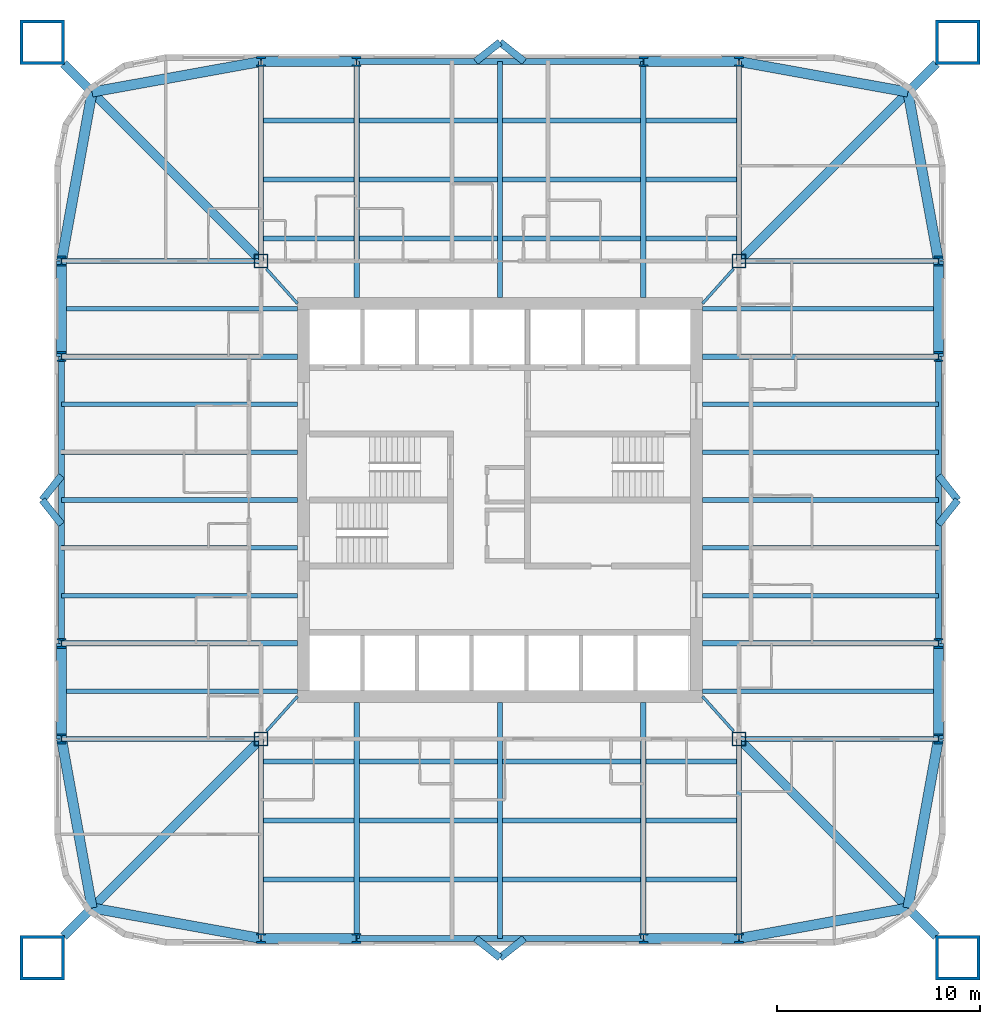
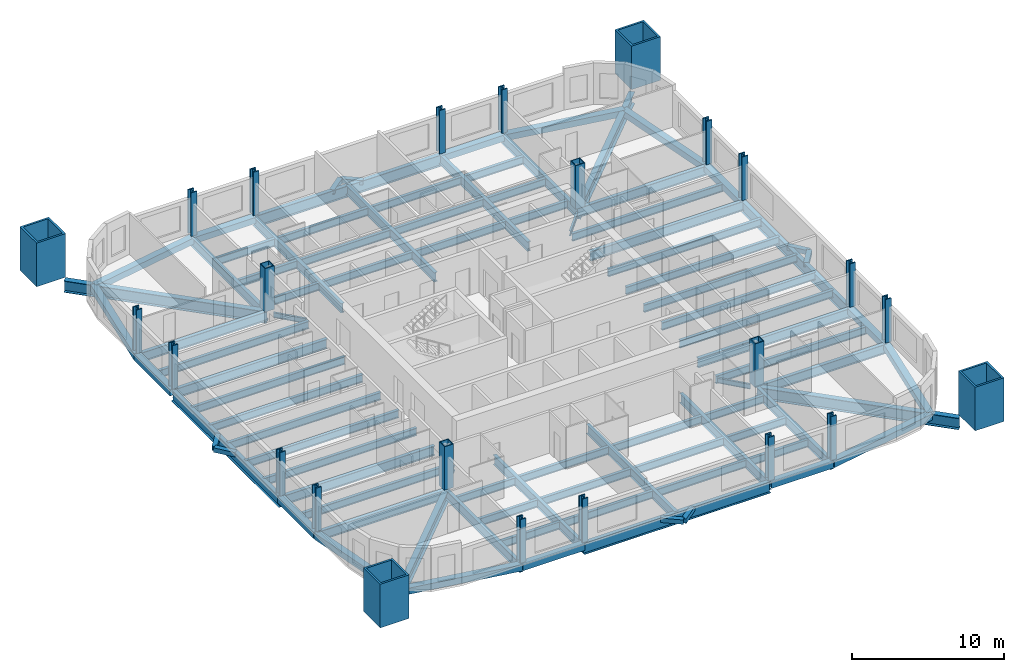
# One storey, part 1 of 9: 92 beams, 24 columns.
"""IFC4 building model written with IfcOpenShell, lengths in metres."""

from ifc_helpers import new_model, si_unit, direction, frame, origin, origin_2d, place, context, subcontext, project, spatial, hollow_rectangle, i_section, extrude, material, material_profile, profile_set, type_object, element, save


model = new_model("IFC4")

# Units and contexts
model_context = context("Model", 3, precision=1e-05, world=origin(), true_north=direction((0.0, 1.0)))
body_context = subcontext(model_context, "Body", "Model", "MODEL_VIEW")
ifc_project = project(units=[si_unit("LENGTHUNIT", "METRE"), si_unit("AREAUNIT", "SQUARE_METRE"), si_unit("VOLUMEUNIT", "CUBIC_METRE"), si_unit("PLANEANGLEUNIT", "RADIAN"), si_unit("MASSUNIT", "GRAM", prefix="KILO")], contexts=[model_context])

# Site, building, storey
site_placement = place(None, origin())
site = spatial("IfcSite", under=ifc_project, at=site_placement, CompositionType="ELEMENT")
building_placement = place(site_placement, origin())
building = spatial("IfcBuilding", under=site, at=building_placement, Name="Turquesa Mirador Hotel Tower", CompositionType="ELEMENT")
storey_placement = place(building_placement, frame((0.0, 0.0, 56.5)))
storey = spatial("IfcBuildingStorey", under=building, at=storey_placement, Name="L14", CompositionType="ELEMENT", Elevation=56.5)

# Columns
ifc_material_1 = material(Name="Steel ASTM A572 Grade 50", Category="steel")
ifc_material_profile_1 = material_profile(ifc_material_1, hollow_rectangle(XDim=0.699951171875, YDim=0.699951171875, WallThickness=0.06005859375, at=origin_2d()), Name="BOX700X700X60")
ifc_profile_set_1 = profile_set([ifc_material_profile_1], Name="Steel ASTM A572 Grade 50")
column_type_1 = type_object("IfcColumnType", Name="COLUMN BOX700X700X60", PredefinedType="COLUMN", material=ifc_profile_set_1)
for number, where, z_axis, x_axis, name in (
    (1, (43.199951171875, 33.199951171875, 0.0), (0.0, 0.0, 1.0), (1.0, 0.0, 0.0), "COL-L14-K--11.80--11.80"),
    (2, (43.199951171875, 56.800048828125, 0.0), (0.0, 0.0, 1.0), (1.0, 0.0, 0.0), "COL-L14-K--11.80-+11.80"),
    (3, (66.800048828125, 33.199951171875, 0.0), (0.0, 0.0, 1.0), (1.0, 0.0, 0.0), "COL-L14-K-+11.80--11.80"),
    (4, (66.800048828125, 56.800048828125, 0.0), (0.0, 0.0, 1.0), (1.0, 0.0, 0.0), "COL-L14-K-+11.80-+11.80"),
):
    element("IfcColumn", number, at=place(storey_placement, frame(where, z_axis=z_axis, x_axis=x_axis)), inside=storey, type_object=column_type_1, Name=name, PredefinedType="COLUMN", context=body_context, shape_type="SweptSolid", body=[
        extrude(hollow_rectangle(XDim=0.699951171875, YDim=0.699951171875, WallThickness=0.06005859375, at=origin_2d()), origin(), (0.0, 0.0, 1.0), 3.5),
    ])
ifc_material_2 = material(Name="Steel ASTM A992 Grade 50", Category="steel")
ifc_material_profile_2 = material_profile(ifc_material_2, i_section(OverallWidth=0.431884765625, OverallDepth=0.497802734375, WebThickness=0.0556640625, FlangeThickness=0.0888671875, at=origin_2d()), Name="W14X500")
ifc_profile_set_2 = profile_set([ifc_material_profile_2], Name="Steel ASTM A992 Grade 50")
column_type_2 = type_object("IfcColumnType", Name="COLUMN W14X500", PredefinedType="COLUMN", material=ifc_profile_set_2)
for number, where, z_axis, x_axis, name in (
    (5, (33.35009765625, 33.199951171875, 0.0), (0.0, 0.0, 1.0), (1.0, 0.0, 0.0), "COL-L14-P--21.65--11.80"),
    (6, (33.35009765625, 37.919921875, 0.0), (0.0, 0.0, 1.0), (1.0, 0.0, 0.0), "COL-L14-P--21.65--7.08"),
    (7, (33.35009765625, 52.080078125, 0.0), (0.0, 0.0, 1.0), (1.0, 0.0, 0.0), "COL-L14-P--21.65-+7.08"),
    (8, (33.35009765625, 56.800048828125, 0.0), (0.0, 0.0, 1.0), (1.0, 0.0, 0.0), "COL-L14-P--21.65-+11.80"),
    (9, (43.199951171875, 23.35009765625, 0.0), (0.0, 0.0, 1.0), (1.0, 0.0, 0.0), "COL-L14-P--11.80--21.65"),
    (10, (43.199951171875, 66.64990234375, 0.0), (0.0, 0.0, 1.0), (1.0, 0.0, 0.0), "COL-L14-P--11.80-+21.65"),
    (11, (47.919921875, 23.35009765625, 0.0), (0.0, 0.0, 1.0), (1.0, 0.0, 0.0), "COL-L14-P--7.08--21.65"),
    (12, (47.919921875, 66.64990234375, 0.0), (0.0, 0.0, 1.0), (1.0, 0.0, 0.0), "COL-L14-P--7.08-+21.65"),
    (13, (62.080078125, 23.35009765625, 0.0), (0.0, 0.0, 1.0), (1.0, 0.0, 0.0), "COL-L14-P-+7.08--21.65"),
    (14, (62.080078125, 66.64990234375, 0.0), (0.0, 0.0, 1.0), (1.0, 0.0, 0.0), "COL-L14-P-+7.08-+21.65"),
    (15, (66.800048828125, 23.35009765625, 0.0), (0.0, 0.0, 1.0), (1.0, 0.0, 0.0), "COL-L14-P-+11.80--21.65"),
    (16, (66.800048828125, 66.64990234375, 0.0), (0.0, 0.0, 1.0), (1.0, 0.0, 0.0), "COL-L14-P-+11.80-+21.65"),
    (17, (76.64990234375, 33.199951171875, 0.0), (0.0, 0.0, 1.0), (1.0, 0.0, 0.0), "COL-L14-P-+21.65--11.80"),
    (18, (76.64990234375, 37.919921875, 0.0), (0.0, 0.0, 1.0), (1.0, 0.0, 0.0), "COL-L14-P-+21.65--7.08"),
    (19, (76.64990234375, 52.080078125, 0.0), (0.0, 0.0, 1.0), (1.0, 0.0, 0.0), "COL-L14-P-+21.65-+7.08"),
    (20, (76.64990234375, 56.800048828125, 0.0), (0.0, 0.0, 1.0), (1.0, 0.0, 0.0), "COL-L14-P-+21.65-+11.80"),
):
    element("IfcColumn", number, at=place(storey_placement, frame(where, z_axis=z_axis, x_axis=x_axis)), inside=storey, type_object=column_type_2, Name=name, PredefinedType="COLUMN", context=body_context, shape_type="SweptSolid", body=[
        extrude(i_section(OverallWidth=0.431884765625, OverallDepth=0.497802734375, WebThickness=0.0556640625, FlangeThickness=0.0888671875, at=origin_2d()), origin(), (0.0, 0.0, 1.0), 3.5),
    ])
ifc_material_3 = material(Name="Steel ASTM A514 Grade Q", Category="steel")
ifc_material_profile_3 = material_profile(ifc_material_3, hollow_rectangle(XDim=2.199951171875, YDim=2.199951171875, WallThickness=0.14990234375, at=origin_2d()), Name="BOX2200X2200X150")
ifc_profile_set_3 = profile_set([ifc_material_profile_3], Name="Steel ASTM A514 Grade Q")
column_type_3 = type_object("IfcColumnType", Name="MEGA COLUMN BOX2200X2200X150", PredefinedType="COLUMN", material=ifc_profile_set_3)
for number, where, z_axis, x_axis, name in (
    (21, (77.60009765625, 67.60009765625, 0.0), (0.0, 0.0, 1.0), (1.0, 0.0, 0.0), "Mega column M1"),
    (22, (32.39990234375, 67.60009765625, 0.0), (0.0, 0.0, 1.0), (1.0, 0.0, 0.0), "Mega column M2"),
    (23, (32.39990234375, 22.39990234375, 0.0), (0.0, 0.0, 1.0), (1.0, 0.0, 0.0), "Mega column M3"),
    (24, (77.60009765625, 22.39990234375, 0.0), (0.0, 0.0, 1.0), (1.0, 0.0, 0.0), "Mega column M4"),
):
    element("IfcColumn", number, at=place(storey_placement, frame(where, z_axis=z_axis, x_axis=x_axis)), inside=storey, type_object=column_type_3, Name=name, PredefinedType="COLUMN", context=body_context, shape_type="SweptSolid", body=[
        extrude(hollow_rectangle(XDim=2.199951171875, YDim=2.199951171875, WallThickness=0.14990234375, at=origin_2d()), origin(), (0.0, 0.0, 1.0), 3.5),
    ])

# Beams
ifc_material_4 = material(Name="Steel ASTM A572 Grade 50", Category="steel")
ifc_material_profile_4 = material_profile(ifc_material_4, hollow_rectangle(XDim=0.5, YDim=0.5, WallThickness=0.01611328125, at=origin_2d()), Name="BOX500X500X16")
ifc_profile_set_4 = profile_set([ifc_material_profile_4], Name="Steel ASTM A572 Grade 50")
beam_type_1 = type_object("IfcBeamType", Name="BEAM BOX500X500X16", PredefinedType="BEAM", material=ifc_profile_set_4)
for number, where, z_axis, x_axis, name in (
    (25, (43.199951171875, 66.64990234375, -0.419921875), (1.0, 0.0, 0.0), (0.0, 1.0, 0.0), "EB-L14-N-L"),
    (26, (62.080078125, 66.64990234375, -0.419921875), (1.0, 0.0, 0.0), (0.0, 1.0, 0.0), "EB-L14-N-R"),
    (27, (43.199951171875, 23.35009765625, -0.419921875), (1.0, 0.0, 0.0), (0.0, 1.0, 0.0), "EB-L14-S-L"),
    (28, (62.080078125, 23.35009765625, -0.419921875), (1.0, 0.0, 0.0), (0.0, 1.0, 0.0), "EB-L14-S-R"),
    (29, (76.64990234375, 33.199951171875, -0.419921875), (0.0, 1.0, 0.0), (-1.0, 0.0, 0.0), "EB-L14-E-L"),
    (30, (76.64990234375, 52.080078125, -0.419921875), (0.0, 1.0, 0.0), (-1.0, 0.0, 0.0), "EB-L14-E-R"),
    (31, (33.35009765625, 33.199951171875, -0.419921875), (0.0, 1.0, 0.0), (-1.0, 0.0, 0.0), "EB-L14-W-L"),
    (32, (33.35009765625, 52.080078125, -0.419921875), (0.0, 1.0, 0.0), (-1.0, 0.0, 0.0), "EB-L14-W-R"),
):
    element("IfcBeam", number, at=place(storey_placement, frame(where, z_axis=z_axis, x_axis=x_axis)), inside=storey, type_object=beam_type_1, Name=name, PredefinedType="BEAM", context=body_context, shape_type="SweptSolid", body=[
        extrude(hollow_rectangle(XDim=0.5, YDim=0.5, WallThickness=0.01611328125, at=origin_2d()), origin(), (0.0, 0.0, 1.0), 4.719970703125),
    ])
for number, where, z_axis, x_axis, name in (
    (33, (76.64990234375, 56.800048828125, -0.419921875), (-0.177932387818, 0.984042715214, 0.0), (-0.984042715214, -0.177932387818, 0.0), "KE-L14-1-0"),
    (34, (75.1416015625, 65.1416015625, -0.419921875), (-0.984042715214, 0.177932387818, 0.0), (-0.177932387818, -0.984042715214, 0.0), "KE-L14-1-1"),
    (35, (33.35009765625, 56.800048828125, -0.419921875), (0.177932387818, 0.984042715214, 0.0), (-0.984042715214, 0.177932387818, 0.0), "KE-L14-2-0"),
    (36, (34.8583984375, 65.1416015625, -0.419921875), (0.984042715214, 0.177932387818, 0.0), (-0.177932387818, 0.984042715214, 0.0), "KE-L14-2-1"),
    (37, (33.35009765625, 33.199951171875, -0.419921875), (0.177932387818, -0.984042715214, 0.0), (0.984042715214, 0.177932387818, 0.0), "KE-L14-3-0"),
    (38, (34.8583984375, 24.8583984375, -0.419921875), (0.984042715214, -0.177932387818, 0.0), (0.177932387818, 0.984042715214, 0.0), "KE-L14-3-1"),
    (39, (76.64990234375, 33.199951171875, -0.419921875), (-0.177932387818, -0.984042715214, 0.0), (0.984042715214, -0.177932387818, 0.0), "KE-L14-4-0"),
    (40, (75.1416015625, 24.8583984375, -0.419921875), (-0.984042715214, -0.177932387818, 0.0), (0.177932387818, -0.984042715214, 0.0), "KE-L14-4-1"),
):
    element("IfcBeam", number, at=place(storey_placement, frame(where, z_axis=z_axis, x_axis=x_axis)), inside=storey, type_object=beam_type_1, Name=name, PredefinedType="BEAM", context=body_context, shape_type="SweptSolid", body=[
        extrude(hollow_rectangle(XDim=0.5, YDim=0.5, WallThickness=0.01611328125, at=origin_2d()), origin(), (0.0, 0.0, 1.0), 8.476806640625),
    ])
ifc_material_5 = material(Name="Steel ASTM A992 Grade 50", Category="steel")
ifc_material_profile_5 = material_profile(ifc_material_5, i_section(OverallWidth=0.140380859375, OverallDepth=0.40380859375, WebThickness=0.007080078125, FlangeThickness=0.01123046875, at=origin_2d()), Name="W16X31")
ifc_profile_set_5 = profile_set([ifc_material_profile_5], Name="Steel ASTM A992 Grade 50")
beam_type_2 = type_object("IfcBeamType", Name="BEAM W16X31", PredefinedType="BEAM", material=ifc_profile_set_5)
for number, where, z_axis, x_axis, name in (
    (41, (66.529541015625, 56.40966796875, -0.371826171875), (-0.666745084392, -0.745285846129, 0.0), (0.745285846129, -0.666745084392, 0.0), "KT-L14-1"),
    (42, (43.470458984375, 56.40966796875, -0.371826171875), (0.666745084392, -0.745285846129, 0.0), (0.745285846129, 0.666745084392, 0.0), "KT-L14-2"),
    (43, (43.470458984375, 33.59033203125, -0.371826171875), (0.666745084392, 0.745285846129, 0.0), (-0.745285846129, 0.666745084392, 0.0), "KT-L14-3"),
    (44, (66.529541015625, 33.59033203125, -0.371826171875), (-0.666745084392, 0.745285846129, 0.0), (-0.745285846129, -0.666745084392, 0.0), "KT-L14-4"),
):
    element("IfcBeam", number, at=place(storey_placement, frame(where, z_axis=z_axis, x_axis=x_axis)), inside=storey, type_object=beam_type_2, Name=name, PredefinedType="BEAM", context=body_context, shape_type="SweptSolid", body=[
        extrude(i_section(OverallWidth=0.140380859375, OverallDepth=0.40380859375, WebThickness=0.007080078125, FlangeThickness=0.01123046875, at=origin_2d()), origin(), (0.0, 0.0, 1.0), 2.2939453125),
    ])
ifc_material_6 = material(Name="Steel ASTM A992 Grade 50", Category="steel")
ifc_material_profile_6 = material_profile(ifc_material_6, i_section(OverallWidth=0.228271484375, OverallDepth=0.607177734375, WebThickness=0.01123046875, FlangeThickness=0.017333984375, at=origin_2d()), Name="W24X76")
ifc_profile_set_6 = profile_set([ifc_material_profile_6], Name="Steel ASTM A992 Grade 50")
beam_type_3 = type_object("IfcBeamType", Name="BEAM W24X76", PredefinedType="BEAM", material=ifc_profile_set_6)
beam_1_placement = place(storey_placement, frame((43.333251953125, 57.912109375, -0.4736328125), z_axis=(1.0, 0.0, 0.0), x_axis=(0.0, 1.0, 0.0)))
element("IfcBeam", 45, at=beam_1_placement, inside=storey, type_object=beam_type_3, Name="IB-L14-N-1-0", PredefinedType="BEAM", context=body_context, shape_type="SweptSolid", body=[
    extrude(i_section(OverallWidth=0.228271484375, OverallDepth=0.607177734375, WebThickness=0.01123046875, FlangeThickness=0.017333984375, at=origin_2d()), origin(), (0.0, 0.0, 1.0), 4.453369140625),
])
for number, where, z_axis, x_axis, name in (
    (46, (48.053466796875, 57.912109375, -0.4736328125), (1.0, 0.0, 0.0), (0.0, 1.0, 0.0), "IB-L14-N-1-1"),
    (47, (55.13330078125, 57.912109375, -0.4736328125), (1.0, 0.0, 0.0), (0.0, 1.0, 0.0), "IB-L14-N-1-2"),
):
    element("IfcBeam", number, at=place(storey_placement, frame(where, z_axis=z_axis, x_axis=x_axis)), inside=storey, type_object=beam_type_3, Name=name, PredefinedType="BEAM", context=body_context, shape_type="SweptSolid", body=[
        extrude(i_section(OverallWidth=0.228271484375, OverallDepth=0.607177734375, WebThickness=0.01123046875, FlangeThickness=0.017333984375, at=origin_2d()), origin(), (0.0, 0.0, 1.0), 6.813232421875),
    ])
for number, where, z_axis, x_axis, name in (
    (48, (62.21337890625, 57.912109375, -0.4736328125), (1.0, 0.0, 0.0), (0.0, 1.0, 0.0), "IB-L14-N-1-3"),
    (49, (43.333251953125, 60.824951171875, -0.4736328125), (1.0, 0.0, 0.0), (0.0, 1.0, 0.0), "IB-L14-N-2-0"),
):
    element("IfcBeam", number, at=place(storey_placement, frame(where, z_axis=z_axis, x_axis=x_axis)), inside=storey, type_object=beam_type_3, Name=name, PredefinedType="BEAM", context=body_context, shape_type="SweptSolid", body=[
        extrude(i_section(OverallWidth=0.228271484375, OverallDepth=0.607177734375, WebThickness=0.01123046875, FlangeThickness=0.017333984375, at=origin_2d()), origin(), (0.0, 0.0, 1.0), 4.453369140625),
    ])
for number, where, z_axis, x_axis, name in (
    (50, (48.053466796875, 60.824951171875, -0.4736328125), (1.0, 0.0, 0.0), (0.0, 1.0, 0.0), "IB-L14-N-2-1"),
    (51, (55.13330078125, 60.824951171875, -0.4736328125), (1.0, 0.0, 0.0), (0.0, 1.0, 0.0), "IB-L14-N-2-2"),
):
    element("IfcBeam", number, at=place(storey_placement, frame(where, z_axis=z_axis, x_axis=x_axis)), inside=storey, type_object=beam_type_3, Name=name, PredefinedType="BEAM", context=body_context, shape_type="SweptSolid", body=[
        extrude(i_section(OverallWidth=0.228271484375, OverallDepth=0.607177734375, WebThickness=0.01123046875, FlangeThickness=0.017333984375, at=origin_2d()), origin(), (0.0, 0.0, 1.0), 6.813232421875),
    ])
for number, where, z_axis, x_axis, name in (
    (52, (62.21337890625, 60.824951171875, -0.4736328125), (1.0, 0.0, 0.0), (0.0, 1.0, 0.0), "IB-L14-N-2-3"),
    (53, (43.333251953125, 63.737060546875, -0.4736328125), (1.0, 0.0, 0.0), (0.0, 1.0, 0.0), "IB-L14-N-3-0"),
):
    element("IfcBeam", number, at=place(storey_placement, frame(where, z_axis=z_axis, x_axis=x_axis)), inside=storey, type_object=beam_type_3, Name=name, PredefinedType="BEAM", context=body_context, shape_type="SweptSolid", body=[
        extrude(i_section(OverallWidth=0.228271484375, OverallDepth=0.607177734375, WebThickness=0.01123046875, FlangeThickness=0.017333984375, at=origin_2d()), origin(), (0.0, 0.0, 1.0), 4.453369140625),
    ])
for number, where, z_axis, x_axis, name in (
    (54, (48.053466796875, 63.737060546875, -0.4736328125), (1.0, 0.0, 0.0), (0.0, 1.0, 0.0), "IB-L14-N-3-1"),
    (55, (55.13330078125, 63.737060546875, -0.4736328125), (1.0, 0.0, 0.0), (0.0, 1.0, 0.0), "IB-L14-N-3-2"),
):
    element("IfcBeam", number, at=place(storey_placement, frame(where, z_axis=z_axis, x_axis=x_axis)), inside=storey, type_object=beam_type_3, Name=name, PredefinedType="BEAM", context=body_context, shape_type="SweptSolid", body=[
        extrude(i_section(OverallWidth=0.228271484375, OverallDepth=0.607177734375, WebThickness=0.01123046875, FlangeThickness=0.017333984375, at=origin_2d()), origin(), (0.0, 0.0, 1.0), 6.813232421875),
    ])
for number, where, z_axis, x_axis, name in (
    (56, (62.21337890625, 63.737060546875, -0.4736328125), (1.0, 0.0, 0.0), (0.0, 1.0, 0.0), "IB-L14-N-3-3"),
    (57, (43.333251953125, 32.087890625, -0.4736328125), (1.0, 0.0, 0.0), (0.0, 1.0, 0.0), "IB-L14-S-1-0"),
):
    element("IfcBeam", number, at=place(storey_placement, frame(where, z_axis=z_axis, x_axis=x_axis)), inside=storey, type_object=beam_type_3, Name=name, PredefinedType="BEAM", context=body_context, shape_type="SweptSolid", body=[
        extrude(i_section(OverallWidth=0.228271484375, OverallDepth=0.607177734375, WebThickness=0.01123046875, FlangeThickness=0.017333984375, at=origin_2d()), origin(), (0.0, 0.0, 1.0), 4.453369140625),
    ])
for number, where, z_axis, x_axis, name in (
    (58, (48.053466796875, 32.087890625, -0.4736328125), (1.0, 0.0, 0.0), (0.0, 1.0, 0.0), "IB-L14-S-1-1"),
    (59, (55.13330078125, 32.087890625, -0.4736328125), (1.0, 0.0, 0.0), (0.0, 1.0, 0.0), "IB-L14-S-1-2"),
):
    element("IfcBeam", number, at=place(storey_placement, frame(where, z_axis=z_axis, x_axis=x_axis)), inside=storey, type_object=beam_type_3, Name=name, PredefinedType="BEAM", context=body_context, shape_type="SweptSolid", body=[
        extrude(i_section(OverallWidth=0.228271484375, OverallDepth=0.607177734375, WebThickness=0.01123046875, FlangeThickness=0.017333984375, at=origin_2d()), origin(), (0.0, 0.0, 1.0), 6.813232421875),
    ])
for number, where, z_axis, x_axis, name in (
    (60, (62.21337890625, 32.087890625, -0.4736328125), (1.0, 0.0, 0.0), (0.0, 1.0, 0.0), "IB-L14-S-1-3"),
    (61, (43.333251953125, 29.175048828125, -0.4736328125), (1.0, 0.0, 0.0), (0.0, 1.0, 0.0), "IB-L14-S-2-0"),
):
    element("IfcBeam", number, at=place(storey_placement, frame(where, z_axis=z_axis, x_axis=x_axis)), inside=storey, type_object=beam_type_3, Name=name, PredefinedType="BEAM", context=body_context, shape_type="SweptSolid", body=[
        extrude(i_section(OverallWidth=0.228271484375, OverallDepth=0.607177734375, WebThickness=0.01123046875, FlangeThickness=0.017333984375, at=origin_2d()), origin(), (0.0, 0.0, 1.0), 4.453369140625),
    ])
for number, where, z_axis, x_axis, name in (
    (62, (48.053466796875, 29.175048828125, -0.4736328125), (1.0, 0.0, 0.0), (0.0, 1.0, 0.0), "IB-L14-S-2-1"),
    (63, (55.13330078125, 29.175048828125, -0.4736328125), (1.0, 0.0, 0.0), (0.0, 1.0, 0.0), "IB-L14-S-2-2"),
):
    element("IfcBeam", number, at=place(storey_placement, frame(where, z_axis=z_axis, x_axis=x_axis)), inside=storey, type_object=beam_type_3, Name=name, PredefinedType="BEAM", context=body_context, shape_type="SweptSolid", body=[
        extrude(i_section(OverallWidth=0.228271484375, OverallDepth=0.607177734375, WebThickness=0.01123046875, FlangeThickness=0.017333984375, at=origin_2d()), origin(), (0.0, 0.0, 1.0), 6.813232421875),
    ])
for number, where, z_axis, x_axis, name in (
    (64, (62.21337890625, 29.175048828125, -0.4736328125), (1.0, 0.0, 0.0), (0.0, 1.0, 0.0), "IB-L14-S-2-3"),
    (65, (43.333251953125, 26.262939453125, -0.4736328125), (1.0, 0.0, 0.0), (0.0, 1.0, 0.0), "IB-L14-S-3-0"),
):
    element("IfcBeam", number, at=place(storey_placement, frame(where, z_axis=z_axis, x_axis=x_axis)), inside=storey, type_object=beam_type_3, Name=name, PredefinedType="BEAM", context=body_context, shape_type="SweptSolid", body=[
        extrude(i_section(OverallWidth=0.228271484375, OverallDepth=0.607177734375, WebThickness=0.01123046875, FlangeThickness=0.017333984375, at=origin_2d()), origin(), (0.0, 0.0, 1.0), 4.453369140625),
    ])
for number, where, z_axis, x_axis, name in (
    (66, (48.053466796875, 26.262939453125, -0.4736328125), (1.0, 0.0, 0.0), (0.0, 1.0, 0.0), "IB-L14-S-3-1"),
    (67, (55.13330078125, 26.262939453125, -0.4736328125), (1.0, 0.0, 0.0), (0.0, 1.0, 0.0), "IB-L14-S-3-2"),
):
    element("IfcBeam", number, at=place(storey_placement, frame(where, z_axis=z_axis, x_axis=x_axis)), inside=storey, type_object=beam_type_3, Name=name, PredefinedType="BEAM", context=body_context, shape_type="SweptSolid", body=[
        extrude(i_section(OverallWidth=0.228271484375, OverallDepth=0.607177734375, WebThickness=0.01123046875, FlangeThickness=0.017333984375, at=origin_2d()), origin(), (0.0, 0.0, 1.0), 6.813232421875),
    ])
beam_2_placement = place(storey_placement, frame((62.21337890625, 26.262939453125, -0.4736328125), z_axis=(1.0, 0.0, 0.0), x_axis=(0.0, 1.0, 0.0)))
element("IfcBeam", 68, at=beam_2_placement, inside=storey, type_object=beam_type_3, Name="IB-L14-S-3-3", PredefinedType="BEAM", context=body_context, shape_type="SweptSolid", body=[
    extrude(i_section(OverallWidth=0.228271484375, OverallDepth=0.607177734375, WebThickness=0.01123046875, FlangeThickness=0.017333984375, at=origin_2d()), origin(), (0.0, 0.0, 1.0), 4.453369140625),
])
for number, where, z_axis, x_axis, name in (
    (69, (76.64990234375, 35.56005859375, -0.4736328125), (-1.0, 0.0, 0.0), (0.0, -1.0, 0.0), "BM-L14-E--9.44"),
    (70, (76.64990234375, 40.280029296875, -0.4736328125), (-1.0, 0.0, 0.0), (0.0, -1.0, 0.0), "BM-L14-E--4.72"),
    (71, (76.64990234375, 42.639892578125, -0.4736328125), (-1.0, 0.0, 0.0), (0.0, -1.0, 0.0), "BM-L14-E--2.36"),
    (72, (76.64990234375, 45.0, -0.4736328125), (-1.0, 0.0, 0.0), (0.0, -1.0, 0.0), "BM-L14-E-+0.00"),
    (73, (76.64990234375, 47.360107421875, -0.4736328125), (-1.0, 0.0, 0.0), (0.0, -1.0, 0.0), "BM-L14-E-+2.36"),
    (74, (76.64990234375, 49.719970703125, -0.4736328125), (-1.0, 0.0, 0.0), (0.0, -1.0, 0.0), "BM-L14-E-+4.72"),
    (75, (76.64990234375, 54.43994140625, -0.4736328125), (-1.0, 0.0, 0.0), (0.0, -1.0, 0.0), "BM-L14-E-+9.44"),
    (76, (33.35009765625, 35.56005859375, -0.4736328125), (1.0, 0.0, 0.0), (0.0, 1.0, 0.0), "BM-L14-W--9.44"),
    (77, (33.35009765625, 40.280029296875, -0.4736328125), (1.0, 0.0, 0.0), (0.0, 1.0, 0.0), "BM-L14-W--4.72"),
    (78, (33.35009765625, 42.639892578125, -0.4736328125), (1.0, 0.0, 0.0), (0.0, 1.0, 0.0), "BM-L14-W--2.36"),
    (79, (33.35009765625, 45.0, -0.4736328125), (1.0, 0.0, 0.0), (0.0, 1.0, 0.0), "BM-L14-W-+0.00"),
    (80, (33.35009765625, 47.360107421875, -0.4736328125), (1.0, 0.0, 0.0), (0.0, 1.0, 0.0), "BM-L14-W-+2.36"),
    (81, (33.35009765625, 49.719970703125, -0.4736328125), (1.0, 0.0, 0.0), (0.0, 1.0, 0.0), "BM-L14-W-+4.72"),
    (82, (33.35009765625, 54.43994140625, -0.4736328125), (1.0, 0.0, 0.0), (0.0, 1.0, 0.0), "BM-L14-W-+9.44"),
):
    element("IfcBeam", number, at=place(storey_placement, frame(where, z_axis=z_axis, x_axis=x_axis)), inside=storey, type_object=beam_type_3, Name=name, PredefinedType="BEAM", context=body_context, shape_type="SweptSolid", body=[
        extrude(i_section(OverallWidth=0.228271484375, OverallDepth=0.607177734375, WebThickness=0.01123046875, FlangeThickness=0.017333984375, at=origin_2d()), origin(), (0.0, 0.0, 1.0), 11.64990234375),
    ])
ifc_material_7 = material(Name="Steel ASTM A992 Grade 50", Category="steel")
ifc_material_profile_7 = material_profile(ifc_material_7, i_section(OverallWidth=0.2666015625, OverallDepth=0.7568359375, WebThickness=0.013916015625, FlangeThickness=0.019287109375, at=origin_2d()), Name="W30X108")
ifc_profile_set_7 = profile_set([ifc_material_profile_7], Name="Steel ASTM A992 Grade 50")
beam_type_4 = type_object("IfcBeamType", Name="BEAM W30X108", PredefinedType="BEAM", material=ifc_profile_set_7)
for number, where, z_axis, x_axis, name in (
    (83, (47.919921875, 66.64990234375, -0.54833984375), (0.0, -1.0, 0.0), (1.0, 0.0, 0.0), "GD-L14-N--7.08"),
    (84, (62.080078125, 66.64990234375, -0.54833984375), (0.0, -1.0, 0.0), (1.0, 0.0, 0.0), "GD-L14-N-+7.08"),
    (85, (55.0, 66.64990234375, -0.54833984375), (0.0, -1.0, 0.0), (1.0, 0.0, 0.0), "GD-L14-N-+0.00"),
):
    element("IfcBeam", number, at=place(storey_placement, frame(where, z_axis=z_axis, x_axis=x_axis)), inside=storey, type_object=beam_type_4, Name=name, PredefinedType="BEAM", context=body_context, shape_type="SweptSolid", body=[
        extrude(i_section(OverallWidth=0.2666015625, OverallDepth=0.7568359375, WebThickness=0.013916015625, FlangeThickness=0.019287109375, at=origin_2d()), origin(), (0.0, 0.0, 1.0), 11.64990234375),
    ])
for number, where, z_axis, x_axis, name in (
    (86, (43.199951171875, 66.64990234375, -0.54833984375), (0.0, -1.0, 0.0), (1.0, 0.0, 0.0), "GK-L14-N--11.80"),
    (87, (66.800048828125, 66.64990234375, -0.54833984375), (0.0, -1.0, 0.0), (1.0, 0.0, 0.0), "GK-L14-N-+11.80"),
):
    element("IfcBeam", number, at=place(storey_placement, frame(where, z_axis=z_axis, x_axis=x_axis)), inside=storey, type_object=beam_type_4, Name=name, PredefinedType="BEAM", context=body_context, shape_type="SweptSolid", body=[
        extrude(i_section(OverallWidth=0.2666015625, OverallDepth=0.7568359375, WebThickness=0.013916015625, FlangeThickness=0.019287109375, at=origin_2d()), origin(), (0.0, 0.0, 1.0), 9.849853515625),
    ])
for number, where, z_axis, x_axis, name in (
    (88, (47.919921875, 23.35009765625, -0.54833984375), (0.0, 1.0, 0.0), (-1.0, 0.0, 0.0), "GD-L14-S--7.08"),
    (89, (62.080078125, 23.35009765625, -0.54833984375), (0.0, 1.0, 0.0), (-1.0, 0.0, 0.0), "GD-L14-S-+7.08"),
    (90, (55.0, 23.35009765625, -0.54833984375), (0.0, 1.0, 0.0), (-1.0, 0.0, 0.0), "GD-L14-S-+0.00"),
):
    element("IfcBeam", number, at=place(storey_placement, frame(where, z_axis=z_axis, x_axis=x_axis)), inside=storey, type_object=beam_type_4, Name=name, PredefinedType="BEAM", context=body_context, shape_type="SweptSolid", body=[
        extrude(i_section(OverallWidth=0.2666015625, OverallDepth=0.7568359375, WebThickness=0.013916015625, FlangeThickness=0.019287109375, at=origin_2d()), origin(), (0.0, 0.0, 1.0), 11.64990234375),
    ])
for number, where, z_axis, x_axis, name in (
    (91, (43.199951171875, 23.35009765625, -0.54833984375), (0.0, 1.0, 0.0), (-1.0, 0.0, 0.0), "GK-L14-S--11.80"),
    (92, (66.800048828125, 23.35009765625, -0.54833984375), (0.0, 1.0, 0.0), (-1.0, 0.0, 0.0), "GK-L14-S-+11.80"),
):
    element("IfcBeam", number, at=place(storey_placement, frame(where, z_axis=z_axis, x_axis=x_axis)), inside=storey, type_object=beam_type_4, Name=name, PredefinedType="BEAM", context=body_context, shape_type="SweptSolid", body=[
        extrude(i_section(OverallWidth=0.2666015625, OverallDepth=0.7568359375, WebThickness=0.013916015625, FlangeThickness=0.019287109375, at=origin_2d()), origin(), (0.0, 0.0, 1.0), 9.849853515625),
    ])
for number, where, z_axis, x_axis, name in (
    (93, (76.64990234375, 37.919921875, -0.54833984375), (-1.0, 0.0, 0.0), (0.0, -1.0, 0.0), "GD-L14-E--7.08"),
    (94, (76.64990234375, 52.080078125, -0.54833984375), (-1.0, 0.0, 0.0), (0.0, -1.0, 0.0), "GD-L14-E-+7.08"),
):
    element("IfcBeam", number, at=place(storey_placement, frame(where, z_axis=z_axis, x_axis=x_axis)), inside=storey, type_object=beam_type_4, Name=name, PredefinedType="BEAM", context=body_context, shape_type="SweptSolid", body=[
        extrude(i_section(OverallWidth=0.2666015625, OverallDepth=0.7568359375, WebThickness=0.013916015625, FlangeThickness=0.019287109375, at=origin_2d()), origin(), (0.0, 0.0, 1.0), 11.64990234375),
    ])
for number, where, z_axis, x_axis, name in (
    (95, (76.64990234375, 33.199951171875, -0.54833984375), (-1.0, 0.0, 0.0), (0.0, -1.0, 0.0), "GK-L14-E--11.80"),
    (96, (76.64990234375, 56.800048828125, -0.54833984375), (-1.0, 0.0, 0.0), (0.0, -1.0, 0.0), "GK-L14-E-+11.80"),
):
    element("IfcBeam", number, at=place(storey_placement, frame(where, z_axis=z_axis, x_axis=x_axis)), inside=storey, type_object=beam_type_4, Name=name, PredefinedType="BEAM", context=body_context, shape_type="SweptSolid", body=[
        extrude(i_section(OverallWidth=0.2666015625, OverallDepth=0.7568359375, WebThickness=0.013916015625, FlangeThickness=0.019287109375, at=origin_2d()), origin(), (0.0, 0.0, 1.0), 9.849853515625),
    ])
for number, where, z_axis, x_axis, name in (
    (97, (33.35009765625, 37.919921875, -0.54833984375), (1.0, 0.0, 0.0), (0.0, 1.0, 0.0), "GD-L14-W--7.08"),
    (98, (33.35009765625, 52.080078125, -0.54833984375), (1.0, 0.0, 0.0), (0.0, 1.0, 0.0), "GD-L14-W-+7.08"),
):
    element("IfcBeam", number, at=place(storey_placement, frame(where, z_axis=z_axis, x_axis=x_axis)), inside=storey, type_object=beam_type_4, Name=name, PredefinedType="BEAM", context=body_context, shape_type="SweptSolid", body=[
        extrude(i_section(OverallWidth=0.2666015625, OverallDepth=0.7568359375, WebThickness=0.013916015625, FlangeThickness=0.019287109375, at=origin_2d()), origin(), (0.0, 0.0, 1.0), 11.64990234375),
    ])
for number, where, z_axis, x_axis, name in (
    (99, (33.35009765625, 33.199951171875, -0.54833984375), (1.0, 0.0, 0.0), (0.0, 1.0, 0.0), "GK-L14-W--11.80"),
    (100, (33.35009765625, 56.800048828125, -0.54833984375), (1.0, 0.0, 0.0), (0.0, 1.0, 0.0), "GK-L14-W-+11.80"),
):
    element("IfcBeam", number, at=place(storey_placement, frame(where, z_axis=z_axis, x_axis=x_axis)), inside=storey, type_object=beam_type_4, Name=name, PredefinedType="BEAM", context=body_context, shape_type="SweptSolid", body=[
        extrude(i_section(OverallWidth=0.2666015625, OverallDepth=0.7568359375, WebThickness=0.013916015625, FlangeThickness=0.019287109375, at=origin_2d()), origin(), (0.0, 0.0, 1.0), 9.849853515625),
    ])
ifc_material_8 = material(Name="Steel ASTM A992 Grade 50", Category="steel")
ifc_material_profile_8 = material_profile(ifc_material_8, i_section(OverallWidth=0.3046875, OverallDepth=0.911865234375, WebThickness=0.015869140625, FlangeThickness=0.02392578125, at=origin_2d()), Name="W36X150")
ifc_profile_set_8 = profile_set([ifc_material_profile_8], Name="Steel ASTM A992 Grade 50")
beam_type_5 = type_object("IfcBeamType", Name="BEAM W36X150", PredefinedType="BEAM", material=ifc_profile_set_8)
for number, where, z_axis, x_axis, name in (
    (101, (47.919921875, 66.64990234375, -0.6259765625), (1.0, 0.0, 0.0), (0.0, 1.0, 0.0), "EB-L14-N-C"),
    (102, (47.919921875, 23.35009765625, -0.6259765625), (1.0, 0.0, 0.0), (0.0, 1.0, 0.0), "EB-L14-S-C"),
    (103, (76.64990234375, 37.919921875, -0.6259765625), (0.0, 1.0, 0.0), (-1.0, 0.0, 0.0), "EB-L14-E-C"),
    (104, (33.35009765625, 37.919921875, -0.6259765625), (0.0, 1.0, 0.0), (-1.0, 0.0, 0.0), "EB-L14-W-C"),
):
    element("IfcBeam", number, at=place(storey_placement, frame(where, z_axis=z_axis, x_axis=x_axis)), inside=storey, type_object=beam_type_5, Name=name, PredefinedType="BEAM", context=body_context, shape_type="SweptSolid", body=[
        extrude(i_section(OverallWidth=0.3046875, OverallDepth=0.911865234375, WebThickness=0.015869140625, FlangeThickness=0.02392578125, at=origin_2d()), origin(), (0.0, 0.0, 1.0), 14.16015625),
    ])
ifc_material_9 = material(Name="Steel ASTM A992 Grade 50", Category="steel")
ifc_material_profile_9 = material_profile(ifc_material_9, i_section(OverallWidth=0.419189453125, OverallDepth=0.927001953125, WebThickness=0.019287109375, FlangeThickness=0.031982421875, at=origin_2d()), Name="W36X231")
ifc_profile_set_9 = profile_set([ifc_material_profile_9], Name="Steel ASTM A992 Grade 50")
beam_type_6 = type_object("IfcBeamType", Name="BEAM W36X231", PredefinedType="BEAM", material=ifc_profile_set_9)
for number, where, z_axis, x_axis, name in (
    (105, (66.800048828125, 56.800048828125, -0.633544921875), (0.707106781187, 0.707106781187, 0.0), (-0.707106781187, 0.707106781187, 0.0), "KD-L14-1"),
    (106, (43.199951171875, 56.800048828125, -0.633544921875), (-0.707106781187, 0.707106781187, 0.0), (-0.707106781187, -0.707106781187, 0.0), "KD-L14-2"),
    (107, (43.199951171875, 33.199951171875, -0.633544921875), (-0.707106781187, -0.707106781187, 0.0), (0.707106781187, -0.707106781187, 0.0), "KD-L14-3"),
    (108, (66.800048828125, 33.199951171875, -0.633544921875), (0.707106781187, -0.707106781187, 0.0), (0.707106781187, 0.707106781187, 0.0), "KD-L14-4"),
):
    element("IfcBeam", number, at=place(storey_placement, frame(where, z_axis=z_axis, x_axis=x_axis)), inside=storey, type_object=beam_type_6, Name=name, PredefinedType="BEAM", context=body_context, shape_type="SweptSolid", body=[
        extrude(i_section(OverallWidth=0.419189453125, OverallDepth=0.927001953125, WebThickness=0.019287109375, FlangeThickness=0.031982421875, at=origin_2d()), origin(), (0.0, 0.0, 1.0), 13.78857421875),
    ])
ifc_material_10 = material(Name="Steel ASTM A500 Grade C", Category="steel")
ifc_material_profile_10 = material_profile(ifc_material_10, hollow_rectangle(XDim=0.355712890625, YDim=0.355712890625, WallThickness=0.0146484375, at=origin_2d()), Name="HSS14X14X5/8")
ifc_profile_set_10 = profile_set([ifc_material_profile_10], Name="Steel ASTM A500 Grade C")
beam_type_7 = type_object("IfcBeamType", Name="BRACE STRUT HSS14X14X5/8", PredefinedType="BEAM", material=ifc_profile_set_10)
for number, where, z_axis, x_axis, name in (
    (109, (55.0, 67.60009765625, -0.347900390625), (-0.783971428146, -0.620796907089, 0.0), (0.620796907089, -0.783971428146, 0.0), "Brace strut"),
    (110, (55.0, 67.60009765625, -0.347900390625), (0.783971428146, -0.620796907089, 0.0), (0.620796907089, 0.783971428146, 0.0), "Brace strut"),
    (111, (55.0, 22.39990234375, -0.347900390625), (-0.783971428146, 0.620796907089, 0.0), (-0.620796907089, -0.783971428146, 0.0), "Brace strut"),
    (112, (55.0, 22.39990234375, -0.347900390625), (0.783971428146, 0.620796907089, 0.0), (-0.620796907089, 0.783971428146, 0.0), "Brace strut"),
    (113, (77.60009765625, 45.0, -0.347900390625), (-0.620796907089, -0.783971428146, 0.0), (0.783971428146, -0.620796907089, 0.0), "Brace strut"),
    (114, (77.60009765625, 45.0, -0.347900390625), (-0.620796907089, 0.783971428146, 0.0), (-0.783971428146, -0.620796907089, 0.0), "Brace strut"),
    (115, (32.39990234375, 45.0, -0.347900390625), (0.620796907089, -0.783971428146, 0.0), (0.783971428146, 0.620796907089, 0.0), "Brace strut"),
    (116, (32.39990234375, 45.0, -0.347900390625), (0.620796907089, 0.783971428146, 0.0), (-0.783971428146, 0.620796907089, 0.0), "Brace strut"),
):
    element("IfcBeam", number, at=place(storey_placement, frame(where, z_axis=z_axis, x_axis=x_axis)), inside=storey, type_object=beam_type_7, Name=name, PredefinedType="BEAM", context=body_context, shape_type="SweptSolid", body=[
        extrude(hollow_rectangle(XDim=0.355712890625, YDim=0.355712890625, WallThickness=0.0146484375, at=origin_2d()), origin(), (0.0, 0.0, 1.0), 1.530517578125),
    ])

save(model, "model.ifc")
